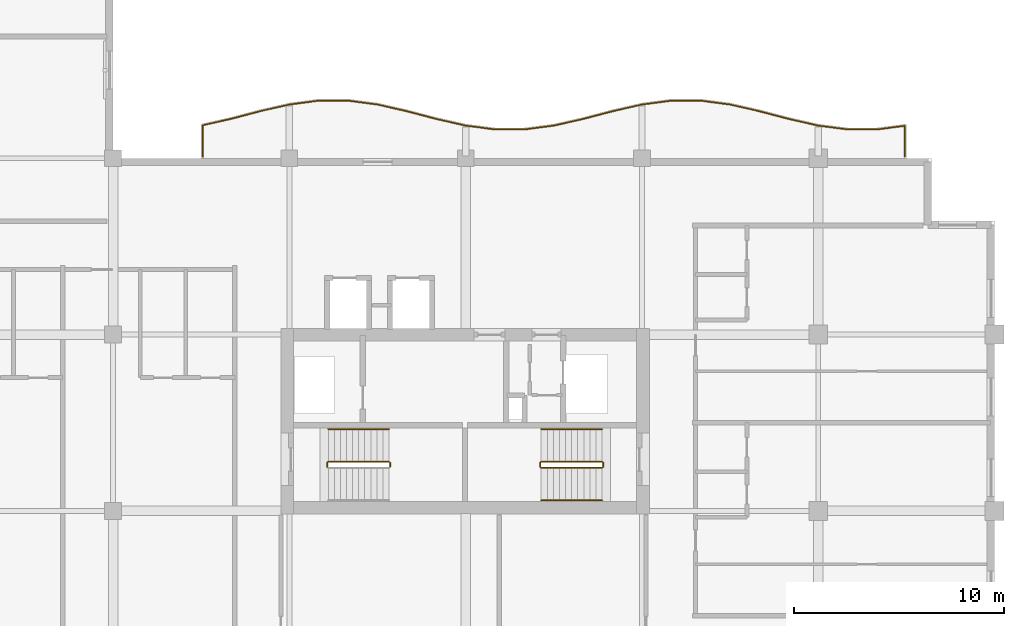
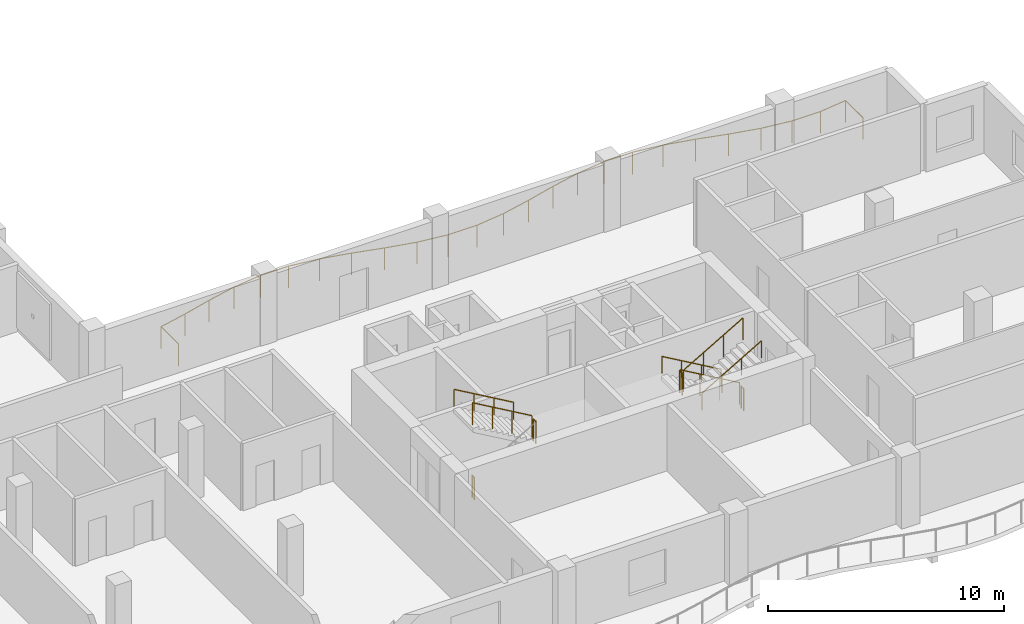
# One storey, part 11 of 12: 11 railings.
"""IFC4 building model written with IfcOpenShell, lengths in metres."""

from ifc_helpers import new_model, si_unit, direction, frame, origin, origin_2d, place, context, subcontext, project, spatial, circle, extrude, material, type_object, element, save


model = new_model("IFC4")

# Units and contexts
model_context = context("Model", 3, precision=1e-05, world=origin(), true_north=direction((0.0, 1.0)))
body_context = subcontext(model_context, "Body", "Model", "MODEL_VIEW")
ifc_project = project(units=[si_unit("LENGTHUNIT", "METRE"), si_unit("AREAUNIT", "SQUARE_METRE"), si_unit("VOLUMEUNIT", "CUBIC_METRE"), si_unit("PLANEANGLEUNIT", "RADIAN"), si_unit("MASSUNIT", "GRAM", prefix="KILO")], contexts=[model_context])

# Site, building, storey
site_placement = place(None, origin())
site = spatial("IfcSite", under=ifc_project, at=site_placement, CompositionType="ELEMENT")
building_placement = place(site_placement, origin())
building = spatial("IfcBuilding", under=site, at=building_placement, Name="Koriwani Terraces Tower", CompositionType="ELEMENT")
storey_placement = place(building_placement, frame((0.0, 0.0, 249.0)))
storey = spatial("IfcBuildingStorey", under=building, at=storey_placement, Name="L61", CompositionType="ELEMENT", Elevation=249.0)

# Railings
ifc_material = material(Name="Steel ASTM A572 Grade 50", Category="steel")
railing_type_1 = type_object("IfcRailingType", Name="GUARD_BALUSTRADE_1150", PredefinedType="BALUSTRADE", material=ifc_material)
railing_1_placement = place(storey_placement, frame((71.320068359375, 33.679931640625, 0.0)))
element("IfcRailing", 1, at=railing_1_placement, inside=storey, type_object=railing_type_1, Name="L61 Balcony Perimeter Safety Balustrade (NE)", PredefinedType="BALUSTRADE", context=body_context, shape_type="SweptSolid", body=[
    extrude(circle(Radius=0.02392578125, at=origin_2d()), frame((0.0, 0.0, 1.1259765625), z_axis=(0.0, 1.0, 0.0), x_axis=(-1.0, 0.0, 0.0)), (0.0, 0.0, 1.0), 1.466796875),
    extrude(circle(Radius=0.02392578125, at=origin_2d()), frame((0.0, 1.466796875, 1.1259765625), z_axis=(-0.991541795882, -0.129787776847, 0.0), x_axis=(0.129787776847, -0.991541795882, 0.0)), (0.0, 0.0, 1.0), 1.326171875),
    extrude(circle(Radius=0.02392578125, at=origin_2d()), frame((-1.31494140625, 1.294677734375, 1.1259765625), z_axis=(-1.0, 0.0, 0.0), x_axis=(0.0, -1.0, 0.0)), (0.0, 0.0, 1.0), 1.410400390625),
    extrude(circle(Radius=0.02392578125, at=origin_2d()), frame((-2.725341796875, 1.294677734375, 1.1259765625), z_axis=(-0.991528403605, 0.12989004906, 0.0), x_axis=(-0.12989004906, -0.991528403605, 0.0)), (0.0, 0.0, 1.0), 1.4208984375),
    extrude(circle(Radius=0.02392578125, at=origin_2d()), frame((-4.13427734375, 1.479248046875, 1.1259765625), z_axis=(-0.975122866469, 0.221665052023, 0.0), x_axis=(-0.221665052023, -0.975122866469, 0.0)), (0.0, 0.0, 1.0), 1.440673828125),
    extrude(circle(Radius=0.02392578125, at=origin_2d()), frame((-5.5390625, 1.798583984375, 1.1259765625), z_axis=(-0.967196782226, 0.254028314271, 0.0), x_axis=(-0.254028314271, -0.967196782226, 0.0)), (0.0, 0.0, 1.0), 1.447265625),
    extrude(circle(Radius=0.02392578125, at=origin_2d()), frame((-6.93896484375, 2.166259765625, 1.1259765625), z_axis=(-0.975164692652, 0.221480974814, 0.0), x_axis=(-0.221480974814, -0.975164692652, 0.0)), (0.0, 0.0, 1.0), 1.430908203125),
    extrude(circle(Radius=0.02392578125, at=origin_2d()), frame((-8.334228515625, 2.483154296875, 1.1259765625), z_axis=(-0.991493340479, 0.130157426935, 0.0), x_axis=(-0.130157426935, -0.991493340479, 0.0)), (0.0, 0.0, 1.0), 1.403076171875),
    extrude(circle(Radius=0.02392578125, at=origin_2d()), frame((-9.725341796875, 2.665771484375, 1.1259765625), z_axis=(-1.0, 0.0, 0.0), x_axis=(0.0, -1.0, 0.0)), (0.0, 0.0, 1.0), 1.3896484375),
    extrude(circle(Radius=0.02392578125, at=origin_2d()), frame((-11.114990234375, 2.665771484375, 1.1259765625), z_axis=(-0.991490391866, -0.130179886452, 0.0), x_axis=(0.130179886452, -0.991490391866, 0.0)), (0.0, 0.0, 1.0), 1.40283203125),
    extrude(circle(Radius=0.02392578125, at=origin_2d()), frame((-12.505859375, 2.483154296875, 1.1259765625), z_axis=(-0.975164692652, -0.221480974814, 0.0), x_axis=(0.221480974814, -0.975164692652, 0.0)), (0.0, 0.0, 1.0), 1.430908203125),
    extrude(circle(Radius=0.02392578125, at=origin_2d()), frame((-13.901123046875, 2.166259765625, 1.1259765625), z_axis=(-0.967196782226, -0.254028314271, 0.0), x_axis=(0.254028314271, -0.967196782226, 0.0)), (0.0, 0.0, 1.0), 1.447265625),
    extrude(circle(Radius=0.02392578125, at=origin_2d()), frame((-15.301025390625, 1.798583984375, 1.1259765625), z_axis=(-0.975131191317, -0.221628427149, 0.0), x_axis=(0.221628427149, -0.975131191317, 0.0)), (0.0, 0.0, 1.0), 1.44091796875),
    extrude(circle(Radius=0.02392578125, at=origin_2d()), frame((-16.7060546875, 1.479248046875, 1.1259765625), z_axis=(-0.991528403605, -0.12989004906, 0.0), x_axis=(0.12989004906, -0.991528403605, 0.0)), (0.0, 0.0, 1.0), 1.4208984375),
    extrude(circle(Radius=0.02392578125, at=origin_2d()), frame((-18.114990234375, 1.294677734375, 1.1259765625), z_axis=(-1.0, 0.0, 0.0), x_axis=(0.0, -1.0, 0.0)), (0.0, 0.0, 1.0), 1.41015625),
    extrude(circle(Radius=0.02392578125, at=origin_2d()), frame((-19.525146484375, 1.294677734375, 1.1259765625), z_axis=(-0.991528403605, 0.12989004906, 0.0), x_axis=(-0.12989004906, -0.991528403605, 0.0)), (0.0, 0.0, 1.0), 1.4208984375),
    extrude(circle(Radius=0.02392578125, at=origin_2d()), frame((-20.93408203125, 1.479248046875, 1.1259765625), z_axis=(-0.975131191317, 0.221628427149, 0.0), x_axis=(-0.221628427149, -0.975131191317, 0.0)), (0.0, 0.0, 1.0), 1.44091796875),
    extrude(circle(Radius=0.02392578125, at=origin_2d()), frame((-22.339111328125, 1.798583984375, 1.1259765625), z_axis=(-0.967196782226, 0.254028314271, 0.0), x_axis=(-0.254028314271, -0.967196782226, 0.0)), (0.0, 0.0, 1.0), 1.447265625),
    extrude(circle(Radius=0.02392578125, at=origin_2d()), frame((-23.739013671875, 2.166259765625, 1.1259765625), z_axis=(-0.975164692652, 0.221480974814, 0.0), x_axis=(-0.221480974814, -0.975164692652, 0.0)), (0.0, 0.0, 1.0), 1.430908203125),
    extrude(circle(Radius=0.02392578125, at=origin_2d()), frame((-25.13427734375, 2.483154296875, 1.1259765625), z_axis=(-0.991490391866, 0.130179886452, 0.0), x_axis=(-0.130179886452, -0.991490391866, 0.0)), (0.0, 0.0, 1.0), 1.40283203125),
    extrude(circle(Radius=0.02392578125, at=origin_2d()), frame((-26.525146484375, 2.665771484375, 1.1259765625), z_axis=(-1.0, 0.0, 0.0), x_axis=(0.0, -1.0, 0.0)), (0.0, 0.0, 1.0), 1.3896484375),
    extrude(circle(Radius=0.02392578125, at=origin_2d()), frame((-27.914794921875, 2.665771484375, 1.1259765625), z_axis=(-0.991493340479, -0.130157426935, 0.0), x_axis=(0.130157426935, -0.991493340479, 0.0)), (0.0, 0.0, 1.0), 1.403076171875),
    extrude(circle(Radius=0.02392578125, at=origin_2d()), frame((-29.305908203125, 2.483154296875, 1.1259765625), z_axis=(-0.975164692652, -0.221480974814, 0.0), x_axis=(0.221480974814, -0.975164692652, 0.0)), (0.0, 0.0, 1.0), 1.430908203125),
    extrude(circle(Radius=0.02392578125, at=origin_2d()), frame((-30.701171875, 2.166259765625, 1.1259765625), z_axis=(-0.967196782226, -0.254028314271, 0.0), x_axis=(0.254028314271, -0.967196782226, 0.0)), (0.0, 0.0, 1.0), 1.447265625),
    extrude(circle(Radius=0.02392578125, at=origin_2d()), frame((-32.10107421875, 1.798583984375, 1.1259765625), z_axis=(-0.97511713615, -0.221690258665, 0.0), x_axis=(0.221690258665, -0.97511713615, 0.0)), (0.0, 0.0, 1.0), 1.373291015625),
    extrude(circle(Radius=0.02392578125, at=origin_2d()), frame((-33.440185546875, 1.494140625, 1.1259765625), z_axis=(0.0, -1.0, 0.0), x_axis=(1.0, 0.0, 0.0)), (0.0, 0.0, 1.0), 1.494140625),
    extrude(circle(Radius=0.02099609375, at=origin_2d()), origin(), (0.0, 0.0, 1.0), 1.101806640625),
    extrude(circle(Radius=0.02099609375, at=origin_2d()), frame((0.0, 1.466796875, 0.0)), (0.0, 0.0, 1.0), 1.101806640625),
    extrude(circle(Radius=0.02099609375, at=origin_2d()), frame((-1.31494140625, 1.294677734375, 0.0)), (0.0, 0.0, 1.0), 1.101806640625),
    extrude(circle(Radius=0.02099609375, at=origin_2d()), frame((-2.725341796875, 1.294677734375, 0.0)), (0.0, 0.0, 1.0), 1.101806640625),
    extrude(circle(Radius=0.02099609375, at=origin_2d()), frame((-4.13427734375, 1.479248046875, 0.0)), (0.0, 0.0, 1.0), 1.101806640625),
    extrude(circle(Radius=0.02099609375, at=origin_2d()), frame((-5.5390625, 1.798583984375, 0.0)), (0.0, 0.0, 1.0), 1.101806640625),
    extrude(circle(Radius=0.02099609375, at=origin_2d()), frame((-6.93896484375, 2.166259765625, 0.0)), (0.0, 0.0, 1.0), 1.101806640625),
    extrude(circle(Radius=0.02099609375, at=origin_2d()), frame((-8.334228515625, 2.483154296875, 0.0)), (0.0, 0.0, 1.0), 1.101806640625),
    extrude(circle(Radius=0.02099609375, at=origin_2d()), frame((-9.725341796875, 2.665771484375, 0.0)), (0.0, 0.0, 1.0), 1.101806640625),
    extrude(circle(Radius=0.02099609375, at=origin_2d()), frame((-11.114990234375, 2.665771484375, 0.0)), (0.0, 0.0, 1.0), 1.101806640625),
    extrude(circle(Radius=0.02099609375, at=origin_2d()), frame((-12.505859375, 2.483154296875, 0.0)), (0.0, 0.0, 1.0), 1.101806640625),
    extrude(circle(Radius=0.02099609375, at=origin_2d()), frame((-13.901123046875, 2.166259765625, 0.0)), (0.0, 0.0, 1.0), 1.101806640625),
    extrude(circle(Radius=0.02099609375, at=origin_2d()), frame((-15.301025390625, 1.798583984375, 0.0)), (0.0, 0.0, 1.0), 1.101806640625),
    extrude(circle(Radius=0.02099609375, at=origin_2d()), frame((-16.7060546875, 1.479248046875, 0.0)), (0.0, 0.0, 1.0), 1.101806640625),
    extrude(circle(Radius=0.02099609375, at=origin_2d()), frame((-18.114990234375, 1.294677734375, 0.0)), (0.0, 0.0, 1.0), 1.101806640625),
    extrude(circle(Radius=0.02099609375, at=origin_2d()), frame((-19.525146484375, 1.294677734375, 0.0)), (0.0, 0.0, 1.0), 1.101806640625),
    extrude(circle(Radius=0.02099609375, at=origin_2d()), frame((-20.93408203125, 1.479248046875, 0.0)), (0.0, 0.0, 1.0), 1.101806640625),
    extrude(circle(Radius=0.02099609375, at=origin_2d()), frame((-22.339111328125, 1.798583984375, 0.0)), (0.0, 0.0, 1.0), 1.101806640625),
    extrude(circle(Radius=0.02099609375, at=origin_2d()), frame((-23.739013671875, 2.166259765625, 0.0)), (0.0, 0.0, 1.0), 1.101806640625),
    extrude(circle(Radius=0.02099609375, at=origin_2d()), frame((-25.13427734375, 2.483154296875, 0.0)), (0.0, 0.0, 1.0), 1.101806640625),
    extrude(circle(Radius=0.02099609375, at=origin_2d()), frame((-26.525146484375, 2.665771484375, 0.0)), (0.0, 0.0, 1.0), 1.101806640625),
    extrude(circle(Radius=0.02099609375, at=origin_2d()), frame((-27.914794921875, 2.665771484375, 0.0)), (0.0, 0.0, 1.0), 1.101806640625),
    extrude(circle(Radius=0.02099609375, at=origin_2d()), frame((-29.305908203125, 2.483154296875, 0.0)), (0.0, 0.0, 1.0), 1.101806640625),
    extrude(circle(Radius=0.02099609375, at=origin_2d()), frame((-30.701171875, 2.166259765625, 0.0)), (0.0, 0.0, 1.0), 1.101806640625),
    extrude(circle(Radius=0.02099609375, at=origin_2d()), frame((-32.10107421875, 1.798583984375, 0.0)), (0.0, 0.0, 1.0), 1.101806640625),
    extrude(circle(Radius=0.02099609375, at=origin_2d()), frame((-33.440185546875, 1.494140625, 0.0)), (0.0, 0.0, 1.0), 1.101806640625),
    extrude(circle(Radius=0.02099609375, at=origin_2d()), frame((-33.440185546875, 0.0, 0.0)), (0.0, 0.0, 1.0), 1.101806640625),
])
railing_type_2 = type_object("IfcRailingType", Name="GUARD_STAIR_WELL_1120", PredefinedType="GUARDRAIL", material=ifc_material)
railing_2_placement = place(storey_placement, frame((46.800048828125, 18.89990234375, 1.85009765625)))
element("IfcRailing", 2, at=railing_2_placement, inside=storey, type_object=railing_type_2, Name="L61 ST-E1 stair guard 2", PredefinedType="GUARDRAIL", context=body_context, shape_type="SweptSolid", body=[
    extrude(circle(Radius=0.02392578125, at=origin_2d()), frame((0.0, 0.0, 1.1259765625), z_axis=(0.0, 1.0, 0.0), x_axis=(-1.0, 0.0, 0.0)), (0.0, 0.0, 1.0), 0.2001953125),
    extrude(circle(Radius=0.02099609375, at=origin_2d()), origin(), (0.0, 0.0, 1.0), 1.101806640625),
    extrude(circle(Radius=0.02099609375, at=origin_2d()), frame((0.0, 0.2001953125, 0.0)), (0.0, 0.0, 1.0), 1.101806640625),
])
railing_3_placement = place(storey_placement, frame((46.75, 19.14990234375, 2.01806640625)))
element("IfcRailing", 3, at=railing_3_placement, inside=storey, type_object=railing_type_2, Name="L61 ST-E1 stair guard 3", PredefinedType="GUARDRAIL", context=body_context, shape_type="SweptSolid", body=[
    extrude(circle(Radius=0.02392578125, at=origin_2d()), frame((0.0, 0.0, 1.1259765625), z_axis=(-0.865038774852, 0.0, 0.501705010941), x_axis=(0.0, -1.0, 0.0)), (0.0, 0.0, 1.0), 3.352294921875),
    extrude(circle(Radius=0.02099609375, at=origin_2d()), origin(), (0.0, 0.0, 1.0), 1.101806640625),
    extrude(circle(Radius=0.02099609375, at=origin_2d()), frame((-0.966552734375, 0.0, 0.560546875)), (0.0, 0.0, 1.0), 1.101806640625),
    extrude(circle(Radius=0.02099609375, at=origin_2d()), frame((-1.933349609375, 0.0, 1.121337890625)), (0.0, 0.0, 1.0), 1.101806640625),
    extrude(circle(Radius=0.02099609375, at=origin_2d()), frame((-2.89990234375, 0.0, 1.681884765625)), (0.0, 0.0, 1.0), 1.101806640625),
])
railing_4_placement = place(storey_placement, frame((43.800048828125, 18.89990234375, 0.0)))
element("IfcRailing", 4, at=railing_4_placement, inside=storey, type_object=railing_type_2, Name="L61 ST-E1 stair guard 4", PredefinedType="GUARDRAIL", context=body_context, shape_type="SweptSolid", body=[
    extrude(circle(Radius=0.02392578125, at=origin_2d()), frame((0.0, 0.0, 1.1259765625), z_axis=(0.0, 1.0, 0.0), x_axis=(-1.0, 0.0, 0.0)), (0.0, 0.0, 1.0), 0.2001953125),
    extrude(circle(Radius=0.02099609375, at=origin_2d()), origin(), (0.0, 0.0, 1.0), 1.101806640625),
    extrude(circle(Radius=0.02099609375, at=origin_2d()), frame((0.0, 0.2001953125, 0.0)), (0.0, 0.0, 1.0), 1.101806640625),
])
railing_5_placement = place(storey_placement, frame((56.89990234375, 19.14990234375, 0.168212890625)))
element("IfcRailing", 5, at=railing_5_placement, inside=storey, type_object=railing_type_2, Name="L61 ST-E2 stair guard 1", PredefinedType="GUARDRAIL", context=body_context, shape_type="SweptSolid", body=[
    extrude(circle(Radius=0.02392578125, at=origin_2d()), frame((0.0, 0.0, 1.1259765625), z_axis=(-0.865038774852, 0.0, 0.501705010941), x_axis=(0.0, -1.0, 0.0)), (0.0, 0.0, 1.0), 3.352294921875),
    extrude(circle(Radius=0.02099609375, at=origin_2d()), origin(), (0.0, 0.0, 1.0), 1.101806640625),
    extrude(circle(Radius=0.02099609375, at=origin_2d()), frame((-0.966552734375, 0.0, 0.560546875)), (0.0, 0.0, 1.0), 1.101806640625),
    extrude(circle(Radius=0.02099609375, at=origin_2d()), frame((-1.933349609375, 0.0, 1.121337890625)), (0.0, 0.0, 1.0), 1.101806640625),
    extrude(circle(Radius=0.02099609375, at=origin_2d()), frame((-2.89990234375, 0.0, 1.681884765625)), (0.0, 0.0, 1.0), 1.101806640625),
])
railing_6_placement = place(storey_placement, frame((53.949951171875, 19.10009765625, 1.85009765625)))
element("IfcRailing", 6, at=railing_6_placement, inside=storey, type_object=railing_type_2, Name="L61 ST-E2 stair guard 2", PredefinedType="GUARDRAIL", context=body_context, shape_type="SweptSolid", body=[
    extrude(circle(Radius=0.02392578125, at=origin_2d()), frame((0.0, 0.0, 1.1259765625), z_axis=(0.0, -1.0, 0.0), x_axis=(1.0, 0.0, 0.0)), (0.0, 0.0, 1.0), 0.2001953125),
    extrude(circle(Radius=0.02099609375, at=origin_2d()), origin(), (0.0, 0.0, 1.0), 1.101806640625),
    extrude(circle(Radius=0.02099609375, at=origin_2d()), frame((0.0, -0.2001953125, 0.0)), (0.0, 0.0, 1.0), 1.101806640625),
])
railing_7_placement = place(storey_placement, frame((54.0, 18.85009765625, 2.01806640625)))
element("IfcRailing", 7, at=railing_7_placement, inside=storey, type_object=railing_type_2, Name="L61 ST-E2 stair guard 3", PredefinedType="GUARDRAIL", context=body_context, shape_type="SweptSolid", body=[
    extrude(circle(Radius=0.02392578125, at=origin_2d()), frame((0.0, 0.0, 1.1259765625), z_axis=(0.865038774852, 0.0, 0.501705010941), x_axis=(0.0, 1.0, 0.0)), (0.0, 0.0, 1.0), 3.352294921875),
    extrude(circle(Radius=0.02099609375, at=origin_2d()), origin(), (0.0, 0.0, 1.0), 1.101806640625),
    extrude(circle(Radius=0.02099609375, at=origin_2d()), frame((0.966552734375, 0.0, 0.560546875)), (0.0, 0.0, 1.0), 1.101806640625),
    extrude(circle(Radius=0.02099609375, at=origin_2d()), frame((1.933349609375, 0.0, 1.121337890625)), (0.0, 0.0, 1.0), 1.101806640625),
    extrude(circle(Radius=0.02099609375, at=origin_2d()), frame((2.89990234375, 0.0, 1.681884765625)), (0.0, 0.0, 1.0), 1.101806640625),
])
railing_8_placement = place(storey_placement, frame((56.949951171875, 19.10009765625, 0.0)))
element("IfcRailing", 8, at=railing_8_placement, inside=storey, type_object=railing_type_2, Name="L61 ST-E2 stair guard 4", PredefinedType="GUARDRAIL", context=body_context, shape_type="SweptSolid", body=[
    extrude(circle(Radius=0.02392578125, at=origin_2d()), frame((0.0, 0.0, 1.1259765625), z_axis=(0.0, -1.0, 0.0), x_axis=(1.0, 0.0, 0.0)), (0.0, 0.0, 1.0), 0.2001953125),
    extrude(circle(Radius=0.02099609375, at=origin_2d()), origin(), (0.0, 0.0, 1.0), 1.101806640625),
    extrude(circle(Radius=0.02099609375, at=origin_2d()), frame((0.0, -0.2001953125, 0.0)), (0.0, 0.0, 1.0), 1.101806640625),
])
railing_type_3 = type_object("IfcRailingType", Name="HANDRAIL_STAIR_920", PredefinedType="HANDRAIL", material=ifc_material)
for number, where, name in (
    (9, (46.75, 20.699951171875, 2.01806640625), "L61 ST-E1 stair handrail 2"),
    (10, (56.89990234375, 20.699951171875, 0.168212890625), "L61 ST-E2 stair handrail 1"),
):
    element("IfcRailing", number, at=place(storey_placement, frame(where)), inside=storey, type_object=railing_type_3, Name=name, PredefinedType="HANDRAIL", context=body_context, shape_type="SweptSolid", body=[
        extrude(circle(Radius=0.02392578125, at=origin_2d()), frame((0.0, 0.0, 0.8759765625), z_axis=(-0.865038774852, 0.0, 0.501705010941), x_axis=(0.0, -1.0, 0.0)), (0.0, 0.0, 1.0), 3.352294921875),
        extrude(circle(Radius=0.02099609375, at=origin_2d()), origin(), (0.0, 0.0, 1.0), 0.851806640625),
        extrude(circle(Radius=0.02099609375, at=origin_2d()), frame((-0.966552734375, 0.0, 0.560546875)), (0.0, 0.0, 1.0), 0.851806640625),
        extrude(circle(Radius=0.02099609375, at=origin_2d()), frame((-1.933349609375, 0.0, 1.121337890625)), (0.0, 0.0, 1.0), 0.851806640625),
        extrude(circle(Radius=0.02099609375, at=origin_2d()), frame((-2.89990234375, 0.0, 1.681884765625)), (0.0, 0.0, 1.0), 0.851806640625),
    ])
railing_9_placement = place(storey_placement, frame((54.0, 17.300048828125, 2.01806640625)))
element("IfcRailing", 11, at=railing_9_placement, inside=storey, type_object=railing_type_3, Name="L61 ST-E2 stair handrail 2", PredefinedType="HANDRAIL", context=body_context, shape_type="SweptSolid", body=[
    extrude(circle(Radius=0.02392578125, at=origin_2d()), frame((0.0, 0.0, 0.8759765625), z_axis=(0.865038774852, 0.0, 0.501705010941), x_axis=(0.0, 1.0, 0.0)), (0.0, 0.0, 1.0), 3.352294921875),
    extrude(circle(Radius=0.02099609375, at=origin_2d()), origin(), (0.0, 0.0, 1.0), 0.851806640625),
    extrude(circle(Radius=0.02099609375, at=origin_2d()), frame((0.966552734375, 0.0, 0.560546875)), (0.0, 0.0, 1.0), 0.851806640625),
    extrude(circle(Radius=0.02099609375, at=origin_2d()), frame((1.933349609375, 0.0, 1.121337890625)), (0.0, 0.0, 1.0), 0.851806640625),
    extrude(circle(Radius=0.02099609375, at=origin_2d()), frame((2.89990234375, 0.0, 1.681884765625)), (0.0, 0.0, 1.0), 0.851806640625),
])

save(model, "model.ifc")
